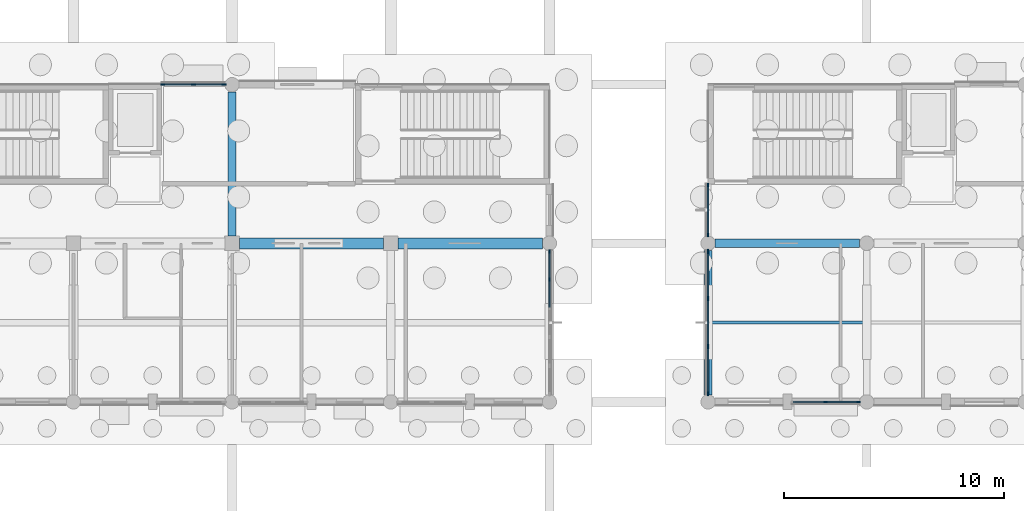
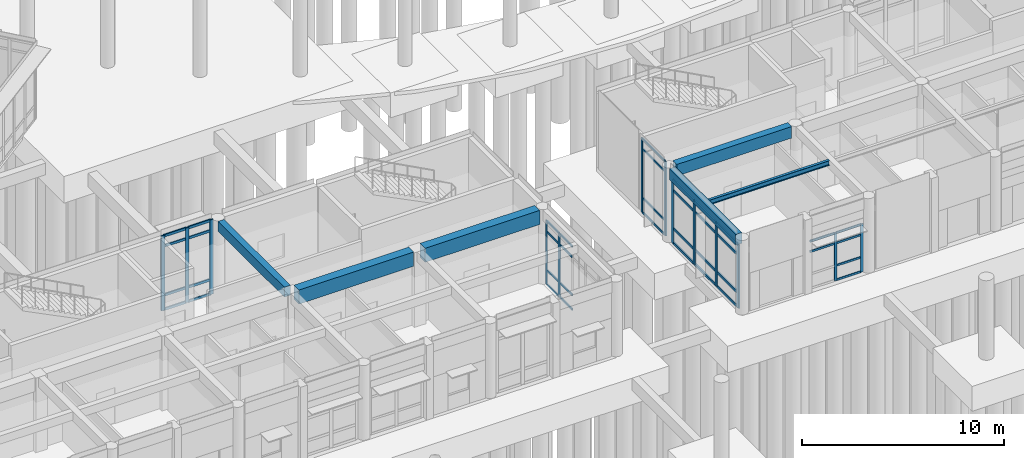
# One storey, part 20 of 103: 51 members, 6 beams, 5 elements without a shape of their own.
"""IFC4 building model written with IfcOpenShell, lengths in metres."""

from ifc_helpers import new_model, si_unit, direction, frame, origin, origin_2d, place, context, subcontext, project, spatial, rectangle, i_section, extrude, material, layer, layer_set, material_profile, profile_set, type_object, element, aggregate, save


model = new_model("IFC4")

# Units and contexts
model_context = context("Model", 3, precision=1e-05, world=origin(), true_north=direction((0.0, 1.0)))
body_context = subcontext(model_context, "Body", "Model", "MODEL_VIEW")
ifc_project = project(units=[si_unit("LENGTHUNIT", "METRE"), si_unit("AREAUNIT", "SQUARE_METRE"), si_unit("VOLUMEUNIT", "CUBIC_METRE"), si_unit("PLANEANGLEUNIT", "RADIAN"), si_unit("MASSUNIT", "GRAM", prefix="KILO")], contexts=[model_context])

# Site, building, storey
site_placement = place(None, origin())
site = spatial("IfcSite", under=ifc_project, at=site_placement, CompositionType="ELEMENT")
building_placement = place(site_placement, origin())
building = spatial("IfcBuilding", under=site, at=building_placement, Name="Namkhue Oval Health Centre", CompositionType="ELEMENT")
storey_placement = place(building_placement, origin())
storey = spatial("IfcBuildingStorey", under=building, at=storey_placement, Name="L00", CompositionType="ELEMENT", Elevation=0.0)

# Curtain wall, members
ifc_material_1 = material(Name="Anodised aluminium EN AW-6063 T6", Category="aluminium")
ifc_layer_1 = layer(ifc_material_1, 0.159912109375)
ifc_layer_set_1 = layer_set([ifc_layer_1], Name="Anodised aluminium EN AW-6063 T6")
curtain_wall_type_1 = type_object("IfcCurtainWallType", Name="UNITISED CURTAIN WALL M1200", PredefinedType="NOTDEFINED", material=ifc_layer_set_1)
curtain_wall_1_placement = place(storey_placement, origin())
curtain_wall_1 = element("IfcCurtainWall", 1, at=curtain_wall_1_placement, inside=storey, type_object=curtain_wall_type_1, Name="Volume V4 L00 Unitised Curtain Wall 139", PredefinedType="NOTDEFINED")
ifc_material_profile_1 = material_profile(ifc_material_1, rectangle(XDim=0.06494140625, YDim=0.159912109375, at=origin_2d()), Name="ALU 65x160")
ifc_profile_set_1 = profile_set([ifc_material_profile_1], Name="Anodised aluminium EN AW-6063 T6")
member_type_1 = type_object("IfcMemberType", Name="CURTAIN WALL MULLION 65X160", PredefinedType="MULLION", material=ifc_profile_set_1)
member_1_placement = place(storey_placement, frame((86.39990234375, 19.958984375, 0.0), z_axis=(0.0, 0.0, 1.0), x_axis=(-1.0, 0.0, 0.0)))
member_1 = element("IfcMember", 2, at=member_1_placement, type_object=member_type_1, Name="CW-01 mullion 5", PredefinedType="MULLION", context=body_context, shape_type="SweptSolid", body=[
    extrude(rectangle(XDim=0.06494140625, YDim=0.159912109375, at=origin_2d()), origin(), (0.0, 0.0, 1.0), 3.860107421875),
])
member_2_placement = place(storey_placement, frame((86.39990234375, 21.232421875, 0.0), z_axis=(0.0, 0.0, 1.0), x_axis=(-1.0, 0.0, 0.0)))
member_2 = element("IfcMember", 3, at=member_2_placement, type_object=member_type_1, Name="CW-01 mullion 6", PredefinedType="MULLION", context=body_context, shape_type="SweptSolid", body=[
    extrude(rectangle(XDim=0.06494140625, YDim=0.159912109375, at=origin_2d()), origin(), (0.0, 0.0, 1.0), 3.860107421875),
])

ifc_layer_2 = layer(ifc_material_1, 0.159912109375)
ifc_layer_set_2 = layer_set([ifc_layer_2], Name="Anodised aluminium EN AW-6063 T6")
curtain_wall_type_2 = type_object("IfcCurtainWallType", Name="UNITISED CURTAIN WALL M1500", PredefinedType="NOTDEFINED", material=ifc_layer_set_2)
curtain_wall_2_placement = place(storey_placement, origin())
curtain_wall_2 = element("IfcCurtainWall", 4, at=curtain_wall_2_placement, inside=storey, type_object=curtain_wall_type_2, Name="Volume V5 L00 Unitised Curtain Wall 177", PredefinedType="NOTDEFINED")
member_3_placement = place(storey_placement, frame((98.93798828125, 14.39990234375, 0.0), z_axis=(0.0, 0.0, 1.0), x_axis=(0.0, 1.0, 0.0)))
member_3 = element("IfcMember", 5, at=member_3_placement, type_object=member_type_1, Name="CW-03 mullion 2", PredefinedType="MULLION", context=body_context, shape_type="SweptSolid", body=[
    extrude(rectangle(XDim=0.06494140625, YDim=0.159912109375, at=origin_2d()), origin(), (0.0, 0.0, 1.0), 2.89990234375),
])
member_4_placement = place(storey_placement, frame((100.4326171875, 14.39990234375, 0.0), z_axis=(0.0, 0.0, 1.0), x_axis=(0.0, 1.0, 0.0)))
member_4 = element("IfcMember", 6, at=member_4_placement, type_object=member_type_1, Name="CW-03 mullion 3", PredefinedType="MULLION", context=body_context, shape_type="SweptSolid", body=[
    extrude(rectangle(XDim=0.06494140625, YDim=0.159912109375, at=origin_2d()), origin(), (0.0, 0.0, 1.0), 2.89990234375),
])

ifc_layer_3 = layer(ifc_material_1, 0.159912109375)
ifc_layer_set_3 = layer_set([ifc_layer_3], Name="Anodised aluminium EN AW-6063 T6")
curtain_wall_type_3 = type_object("IfcCurtainWallType", Name="UNITISED CURTAIN WALL M1800", PredefinedType="NOTDEFINED", material=ifc_layer_set_3)
curtain_wall_3_placement = place(storey_placement, origin())
curtain_wall_3 = element("IfcCurtainWall", 7, at=curtain_wall_3_placement, inside=storey, type_object=curtain_wall_type_3, Name="Volume V5 L00 Unitised Curtain Wall 185", PredefinedType="NOTDEFINED")
member_5_placement = place(storey_placement, frame((93.60009765625, 24.25048828125, 0.0), z_axis=(0.0, 0.0, 1.0), x_axis=(1.0, 0.0, 0.0)))
member_5 = element("IfcMember", 8, at=member_5_placement, type_object=member_type_1, Name="CW-05 mullion 1", PredefinedType="MULLION", context=body_context, shape_type="SweptSolid", body=[
    extrude(rectangle(XDim=0.06494140625, YDim=0.159912109375, at=origin_2d()), origin(), (0.0, 0.0, 1.0), 4.4951171875),
])
member_6_placement = place(storey_placement, frame((93.60009765625, 21.967529296875, 0.0), z_axis=(0.0, 0.0, 1.0), x_axis=(1.0, 0.0, 0.0)))
member_6 = element("IfcMember", 9, at=member_6_placement, type_object=member_type_1, Name="CW-05 mullion 2", PredefinedType="MULLION", context=body_context, shape_type="SweptSolid", body=[
    extrude(rectangle(XDim=0.06494140625, YDim=0.159912109375, at=origin_2d()), origin(), (0.0, 0.0, 1.0), 4.4951171875),
])

ifc_layer_4 = layer(ifc_material_1, 0.159912109375)
ifc_layer_set_4 = layer_set([ifc_layer_4], Name="Anodised aluminium EN AW-6063 T6")
curtain_wall_type_4 = type_object("IfcCurtainWallType", Name="UNITISED CURTAIN WALL M1350", PredefinedType="NOTDEFINED", material=ifc_layer_set_4)
curtain_wall_4_placement = place(storey_placement, origin())
curtain_wall_4 = element("IfcCurtainWall", 10, at=curtain_wall_4_placement, inside=storey, type_object=curtain_wall_type_4, Name="Volume V4 L00 Unitised Curtain Wall 140", PredefinedType="NOTDEFINED")
ifc_material_profile_2 = material_profile(ifc_material_1, rectangle(XDim=0.074951171875, YDim=0.199951171875, at=origin_2d()), Name="ALU 75x200")
ifc_profile_set_2 = profile_set([ifc_material_profile_2], Name="Anodised aluminium EN AW-6063 T6")
member_type_2 = type_object("IfcMemberType", Name="CURTAIN WALL MULLION 75X200", PredefinedType="MULLION", material=ifc_profile_set_2)
member_7_placement = place(storey_placement, frame((71.62744140625, 28.800048828125, 0.0), z_axis=(0.0, 0.0, 1.0), x_axis=(0.0, -1.0, 0.0)))
member_7 = element("IfcMember", 11, at=member_7_placement, type_object=member_type_2, Name="CW-02 mullion 1", PredefinedType="MULLION", context=body_context, shape_type="SweptSolid", body=[
    extrude(rectangle(XDim=0.074951171875, YDim=0.199951171875, at=origin_2d()), origin(), (0.0, 0.0, 1.0), 4.510009765625),
])
member_8_placement = place(storey_placement, frame((70.240966796875, 28.800048828125, 0.0), z_axis=(0.0, 0.0, 1.0), x_axis=(0.0, -1.0, 0.0)))
member_8 = element("IfcMember", 12, at=member_8_placement, type_object=member_type_2, Name="CW-02 mullion 2", PredefinedType="MULLION", context=body_context, shape_type="SweptSolid", body=[
    extrude(rectangle(XDim=0.074951171875, YDim=0.199951171875, at=origin_2d()), origin(), (0.0, 0.0, 1.0), 4.510009765625),
])
member_9_placement = place(storey_placement, frame((68.8544921875, 28.800048828125, 0.0), z_axis=(0.0, 0.0, 1.0), x_axis=(0.0, -1.0, 0.0)))
member_9 = element("IfcMember", 13, at=member_9_placement, type_object=member_type_2, Name="CW-02 mullion 3", PredefinedType="MULLION", context=body_context, shape_type="SweptSolid", body=[
    extrude(rectangle(XDim=0.074951171875, YDim=0.199951171875, at=origin_2d()), origin(), (0.0, 0.0, 1.0), 4.510009765625),
])

ifc_layer_5 = layer(ifc_material_1, 0.159912109375)
ifc_layer_set_5 = layer_set([ifc_layer_5], Name="Anodised aluminium EN AW-6063 T6")
curtain_wall_type_5 = type_object("IfcCurtainWallType", Name="UNITISED CURTAIN WALL M2000", PredefinedType="NOTDEFINED", material=ifc_layer_set_5)
curtain_wall_5_placement = place(storey_placement, origin())
curtain_wall_5 = element("IfcCurtainWall", 14, at=curtain_wall_5_placement, inside=storey, type_object=curtain_wall_type_5, Name="Volume V5 L00 Unitised Curtain Wall 186", PredefinedType="NOTDEFINED")
member_10_placement = place(storey_placement, frame((93.60009765625, 21.2275390625, 0.0), z_axis=(0.0, 0.0, 1.0), x_axis=(1.0, 0.0, 0.0)))
member_10 = element("IfcMember", 15, at=member_10_placement, type_object=member_type_2, Name="CW-06 mullion 1", PredefinedType="MULLION", context=body_context, shape_type="SweptSolid", body=[
    extrude(rectangle(XDim=0.074951171875, YDim=0.199951171875, at=origin_2d()), origin(), (0.0, 0.0, 1.0), 3.844970703125),
])
member_11_placement = place(storey_placement, frame((93.60009765625, 19.08837890625, 0.0), z_axis=(0.0, 0.0, 1.0), x_axis=(1.0, 0.0, 0.0)))
member_11 = element("IfcMember", 16, at=member_11_placement, type_object=member_type_2, Name="CW-06 mullion 2", PredefinedType="MULLION", context=body_context, shape_type="SweptSolid", body=[
    extrude(rectangle(XDim=0.074951171875, YDim=0.199951171875, at=origin_2d()), origin(), (0.0, 0.0, 1.0), 3.844970703125),
])
member_12_placement = place(storey_placement, frame((93.60009765625, 16.91162109375, 0.0), z_axis=(0.0, 0.0, 1.0), x_axis=(1.0, 0.0, 0.0)))
member_12 = element("IfcMember", 17, at=member_12_placement, type_object=member_type_2, Name="CW-06 mullion 3", PredefinedType="MULLION", context=body_context, shape_type="SweptSolid", body=[
    extrude(rectangle(XDim=0.074951171875, YDim=0.199951171875, at=origin_2d()), origin(), (0.0, 0.0, 1.0), 3.844970703125),
])
member_13_placement = place(storey_placement, frame((93.60009765625, 14.7724609375, 0.0), z_axis=(0.0, 0.0, 1.0), x_axis=(1.0, 0.0, 0.0)))
member_13 = element("IfcMember", 18, at=member_13_placement, type_object=member_type_2, Name="CW-06 mullion 4", PredefinedType="MULLION", context=body_context, shape_type="SweptSolid", body=[
    extrude(rectangle(XDim=0.074951171875, YDim=0.199951171875, at=origin_2d()), origin(), (0.0, 0.0, 1.0), 3.844970703125),
])

# Member
ifc_material_profile_3 = material_profile(ifc_material_1, rectangle(XDim=0.06494140625, YDim=0.1201171875, at=origin_2d()), Name="ALU 65x120")
ifc_profile_set_3 = profile_set([ifc_material_profile_3], Name="Anodised aluminium EN AW-6063 T6")
member_type_3 = type_object("IfcMemberType", Name="CURTAIN WALL TRANSOM 65X120", PredefinedType="USERDEFINED", material=ifc_profile_set_3)
member_14_placement = place(storey_placement, frame((86.39990234375, 18.685546875, 0.032470703125), z_axis=(0.0, 1.0, 0.0), x_axis=(-1.0, 0.0, 0.0)))
member_14 = element("IfcMember", 19, at=member_14_placement, type_object=member_type_3, Name="CW-01 transom 4.1", ObjectType="TRANSOM", PredefinedType="USERDEFINED", context=body_context, shape_type="SweptSolid", body=[
    extrude(rectangle(XDim=0.06494140625, YDim=0.1201171875, at=origin_2d()), origin(), (0.0, 0.0, 1.0), 1.240966796875),
])

member_15_placement = place(storey_placement, frame((86.39990234375, 18.685546875, 0.89990234375), z_axis=(0.0, 1.0, 0.0), x_axis=(-1.0, 0.0, 0.0)))
member_15 = element("IfcMember", 20, at=member_15_placement, type_object=member_type_3, Name="CW-01 transom 4.2", ObjectType="TRANSOM", PredefinedType="USERDEFINED", context=body_context, shape_type="SweptSolid", body=[
    extrude(rectangle(XDim=0.06494140625, YDim=0.1201171875, at=origin_2d()), origin(), (0.0, 0.0, 1.0), 1.240966796875),
])

member_16_placement = place(storey_placement, frame((86.39990234375, 18.685546875, 3.2099609375), z_axis=(0.0, 1.0, 0.0), x_axis=(-1.0, 0.0, 0.0)))
member_16 = element("IfcMember", 21, at=member_16_placement, type_object=member_type_3, Name="CW-01 transom 4.3", ObjectType="TRANSOM", PredefinedType="USERDEFINED", context=body_context, shape_type="SweptSolid", body=[
    extrude(rectangle(XDim=0.06494140625, YDim=0.1201171875, at=origin_2d()), origin(), (0.0, 0.0, 1.0), 1.240966796875),
])

member_17_placement = place(storey_placement, frame((86.39990234375, 18.685546875, 3.827392578125), z_axis=(0.0, 1.0, 0.0), x_axis=(-1.0, 0.0, 0.0)))
member_17 = element("IfcMember", 22, at=member_17_placement, type_object=member_type_3, Name="CW-01 transom 4.4", ObjectType="TRANSOM", PredefinedType="USERDEFINED", context=body_context, shape_type="SweptSolid", body=[
    extrude(rectangle(XDim=0.06494140625, YDim=0.1201171875, at=origin_2d()), origin(), (0.0, 0.0, 1.0), 1.240966796875),
])

member_18_placement = place(storey_placement, frame((86.39990234375, 19.991455078125, 0.032470703125), z_axis=(0.0, 1.0, 0.0), x_axis=(-1.0, 0.0, 0.0)))
member_18 = element("IfcMember", 23, at=member_18_placement, type_object=member_type_3, Name="CW-01 transom 5.1", ObjectType="TRANSOM", PredefinedType="USERDEFINED", context=body_context, shape_type="SweptSolid", body=[
    extrude(rectangle(XDim=0.06494140625, YDim=0.1201171875, at=origin_2d()), origin(), (0.0, 0.0, 1.0), 1.20849609375),
])

member_19_placement = place(storey_placement, frame((86.39990234375, 19.991455078125, 0.89990234375), z_axis=(0.0, 1.0, 0.0), x_axis=(-1.0, 0.0, 0.0)))
member_19 = element("IfcMember", 24, at=member_19_placement, type_object=member_type_3, Name="CW-01 transom 5.2", ObjectType="TRANSOM", PredefinedType="USERDEFINED", context=body_context, shape_type="SweptSolid", body=[
    extrude(rectangle(XDim=0.06494140625, YDim=0.1201171875, at=origin_2d()), origin(), (0.0, 0.0, 1.0), 1.20849609375),
])

member_20_placement = place(storey_placement, frame((86.39990234375, 19.991455078125, 3.2099609375), z_axis=(0.0, 1.0, 0.0), x_axis=(-1.0, 0.0, 0.0)))
member_20 = element("IfcMember", 25, at=member_20_placement, type_object=member_type_3, Name="CW-01 transom 5.3", ObjectType="TRANSOM", PredefinedType="USERDEFINED", context=body_context, shape_type="SweptSolid", body=[
    extrude(rectangle(XDim=0.06494140625, YDim=0.1201171875, at=origin_2d()), origin(), (0.0, 0.0, 1.0), 1.20849609375),
])

member_21_placement = place(storey_placement, frame((86.39990234375, 19.991455078125, 3.827392578125), z_axis=(0.0, 1.0, 0.0), x_axis=(-1.0, 0.0, 0.0)))
member_21 = element("IfcMember", 26, at=member_21_placement, type_object=member_type_3, Name="CW-01 transom 5.4", ObjectType="TRANSOM", PredefinedType="USERDEFINED", context=body_context, shape_type="SweptSolid", body=[
    extrude(rectangle(XDim=0.06494140625, YDim=0.1201171875, at=origin_2d()), origin(), (0.0, 0.0, 1.0), 1.20849609375),
])

aggregate(curtain_wall_1, [member_1, member_2, member_14, member_15, member_16, member_17, member_18, member_19, member_20, member_21])

member_22_placement = place(storey_placement, frame((97.47607421875, 14.39990234375, 2.25), z_axis=(1.0, 0.0, 0.0), x_axis=(0.0, 1.0, 0.0)))
member_22 = element("IfcMember", 27, at=member_22_placement, type_object=member_type_3, Name="CW-03 transom 1.3", ObjectType="TRANSOM", PredefinedType="USERDEFINED", context=body_context, shape_type="SweptSolid", body=[
    extrude(rectangle(XDim=0.06494140625, YDim=0.1201171875, at=origin_2d()), origin(), (0.0, 0.0, 1.0), 1.429443359375),
])

member_23_placement = place(storey_placement, frame((97.47607421875, 14.39990234375, 2.867431640625), z_axis=(1.0, 0.0, 0.0), x_axis=(0.0, 1.0, 0.0)))
member_23 = element("IfcMember", 28, at=member_23_placement, type_object=member_type_3, Name="CW-03 transom 1.4", ObjectType="TRANSOM", PredefinedType="USERDEFINED", context=body_context, shape_type="SweptSolid", body=[
    extrude(rectangle(XDim=0.06494140625, YDim=0.1201171875, at=origin_2d()), origin(), (0.0, 0.0, 1.0), 1.429443359375),
])

member_24_placement = place(storey_placement, frame((98.970458984375, 14.39990234375, 0.032470703125), z_axis=(1.0, 0.0, 0.0), x_axis=(0.0, 1.0, 0.0)))
member_24 = element("IfcMember", 29, at=member_24_placement, type_object=member_type_3, Name="CW-03 transom 2.1", ObjectType="TRANSOM", PredefinedType="USERDEFINED", context=body_context, shape_type="SweptSolid", body=[
    extrude(rectangle(XDim=0.06494140625, YDim=0.1201171875, at=origin_2d()), origin(), (0.0, 0.0, 1.0), 1.429443359375),
])

member_25_placement = place(storey_placement, frame((98.970458984375, 14.39990234375, 0.89990234375), z_axis=(1.0, 0.0, 0.0), x_axis=(0.0, 1.0, 0.0)))
member_25 = element("IfcMember", 30, at=member_25_placement, type_object=member_type_3, Name="CW-03 transom 2.2", ObjectType="TRANSOM", PredefinedType="USERDEFINED", context=body_context, shape_type="SweptSolid", body=[
    extrude(rectangle(XDim=0.06494140625, YDim=0.1201171875, at=origin_2d()), origin(), (0.0, 0.0, 1.0), 1.429443359375),
])

member_26_placement = place(storey_placement, frame((98.970458984375, 14.39990234375, 2.25), z_axis=(1.0, 0.0, 0.0), x_axis=(0.0, 1.0, 0.0)))
member_26 = element("IfcMember", 31, at=member_26_placement, type_object=member_type_3, Name="CW-03 transom 2.3", ObjectType="TRANSOM", PredefinedType="USERDEFINED", context=body_context, shape_type="SweptSolid", body=[
    extrude(rectangle(XDim=0.06494140625, YDim=0.1201171875, at=origin_2d()), origin(), (0.0, 0.0, 1.0), 1.429443359375),
])

member_27_placement = place(storey_placement, frame((98.970458984375, 14.39990234375, 2.867431640625), z_axis=(1.0, 0.0, 0.0), x_axis=(0.0, 1.0, 0.0)))
member_27 = element("IfcMember", 32, at=member_27_placement, type_object=member_type_3, Name="CW-03 transom 2.4", ObjectType="TRANSOM", PredefinedType="USERDEFINED", context=body_context, shape_type="SweptSolid", body=[
    extrude(rectangle(XDim=0.06494140625, YDim=0.1201171875, at=origin_2d()), origin(), (0.0, 0.0, 1.0), 1.429443359375),
])

aggregate(curtain_wall_2, [member_3, member_4, member_22, member_23, member_24, member_25, member_26, member_27])

member_28_placement = place(storey_placement, frame((93.60009765625, 24.218017578125, 0.032470703125), z_axis=(0.0, -1.0, 0.0), x_axis=(1.0, 0.0, 0.0)))
member_28 = element("IfcMember", 33, at=member_28_placement, type_object=member_type_3, Name="CW-05 transom 1.1", ObjectType="TRANSOM", PredefinedType="USERDEFINED", context=body_context, shape_type="SweptSolid", body=[
    extrude(rectangle(XDim=0.06494140625, YDim=0.1201171875, at=origin_2d()), origin(), (0.0, 0.0, 1.0), 2.218017578125),
])

member_29_placement = place(storey_placement, frame((93.60009765625, 24.218017578125, 0.89990234375), z_axis=(0.0, -1.0, 0.0), x_axis=(1.0, 0.0, 0.0)))
member_29 = element("IfcMember", 34, at=member_29_placement, type_object=member_type_3, Name="CW-05 transom 1.2", ObjectType="TRANSOM", PredefinedType="USERDEFINED", context=body_context, shape_type="SweptSolid", body=[
    extrude(rectangle(XDim=0.06494140625, YDim=0.1201171875, at=origin_2d()), origin(), (0.0, 0.0, 1.0), 2.218017578125),
])

member_30_placement = place(storey_placement, frame((93.60009765625, 24.218017578125, 3.844970703125), z_axis=(0.0, -1.0, 0.0), x_axis=(1.0, 0.0, 0.0)))
member_30 = element("IfcMember", 35, at=member_30_placement, type_object=member_type_3, Name="CW-05 transom 1.3", ObjectType="TRANSOM", PredefinedType="USERDEFINED", context=body_context, shape_type="SweptSolid", body=[
    extrude(rectangle(XDim=0.06494140625, YDim=0.1201171875, at=origin_2d()), origin(), (0.0, 0.0, 1.0), 2.218017578125),
])

member_31_placement = place(storey_placement, frame((93.60009765625, 24.218017578125, 4.46240234375), z_axis=(0.0, -1.0, 0.0), x_axis=(1.0, 0.0, 0.0)))
member_31 = element("IfcMember", 36, at=member_31_placement, type_object=member_type_3, Name="CW-05 transom 1.4", ObjectType="TRANSOM", PredefinedType="USERDEFINED", context=body_context, shape_type="SweptSolid", body=[
    extrude(rectangle(XDim=0.06494140625, YDim=0.1201171875, at=origin_2d()), origin(), (0.0, 0.0, 1.0), 2.218017578125),
])

aggregate(curtain_wall_3, [member_5, member_6, member_28, member_29, member_30, member_31])

ifc_material_profile_4 = material_profile(ifc_material_1, rectangle(XDim=0.074951171875, YDim=0.14990234375, at=origin_2d()), Name="ALU 75x150")
ifc_profile_set_4 = profile_set([ifc_material_profile_4], Name="Anodised aluminium EN AW-6063 T6")
member_type_4 = type_object("IfcMemberType", Name="CURTAIN WALL TRANSOM 75X150", PredefinedType="USERDEFINED", material=ifc_profile_set_4)
member_32_placement = place(storey_placement, frame((71.590087890625, 28.800048828125, 0.03759765625), z_axis=(-1.0, 0.0, 0.0), x_axis=(0.0, -1.0, 0.0)))
member_32 = element("IfcMember", 37, at=member_32_placement, type_object=member_type_4, Name="CW-02 transom 1.1", ObjectType="TRANSOM", PredefinedType="USERDEFINED", context=body_context, shape_type="SweptSolid", body=[
    extrude(rectangle(XDim=0.074951171875, YDim=0.14990234375, at=origin_2d()), origin(), (0.0, 0.0, 1.0), 1.3115234375),
])

member_33_placement = place(storey_placement, frame((71.590087890625, 28.800048828125, 0.89990234375), z_axis=(-1.0, 0.0, 0.0), x_axis=(0.0, -1.0, 0.0)))
member_33 = element("IfcMember", 38, at=member_33_placement, type_object=member_type_4, Name="CW-02 transom 1.2", ObjectType="TRANSOM", PredefinedType="USERDEFINED", context=body_context, shape_type="SweptSolid", body=[
    extrude(rectangle(XDim=0.074951171875, YDim=0.14990234375, at=origin_2d()), origin(), (0.0, 0.0, 1.0), 1.3115234375),
])

member_34_placement = place(storey_placement, frame((71.590087890625, 28.800048828125, 3.860107421875), z_axis=(-1.0, 0.0, 0.0), x_axis=(0.0, -1.0, 0.0)))
member_34 = element("IfcMember", 39, at=member_34_placement, type_object=member_type_4, Name="CW-02 transom 1.3", ObjectType="TRANSOM", PredefinedType="USERDEFINED", context=body_context, shape_type="SweptSolid", body=[
    extrude(rectangle(XDim=0.074951171875, YDim=0.14990234375, at=origin_2d()), origin(), (0.0, 0.0, 1.0), 1.3115234375),
])

member_35_placement = place(storey_placement, frame((71.590087890625, 28.800048828125, 4.472412109375), z_axis=(-1.0, 0.0, 0.0), x_axis=(0.0, -1.0, 0.0)))
member_35 = element("IfcMember", 40, at=member_35_placement, type_object=member_type_4, Name="CW-02 transom 1.4", ObjectType="TRANSOM", PredefinedType="USERDEFINED", context=body_context, shape_type="SweptSolid", body=[
    extrude(rectangle(XDim=0.074951171875, YDim=0.14990234375, at=origin_2d()), origin(), (0.0, 0.0, 1.0), 1.3115234375),
])

member_36_placement = place(storey_placement, frame((70.20361328125, 28.800048828125, 0.03759765625), z_axis=(-1.0, 0.0, 0.0), x_axis=(0.0, -1.0, 0.0)))
member_36 = element("IfcMember", 41, at=member_36_placement, type_object=member_type_4, Name="CW-02 transom 2.1", ObjectType="TRANSOM", PredefinedType="USERDEFINED", context=body_context, shape_type="SweptSolid", body=[
    extrude(rectangle(XDim=0.074951171875, YDim=0.14990234375, at=origin_2d()), origin(), (0.0, 0.0, 1.0), 1.3115234375),
])

member_37_placement = place(storey_placement, frame((70.20361328125, 28.800048828125, 0.89990234375), z_axis=(-1.0, 0.0, 0.0), x_axis=(0.0, -1.0, 0.0)))
member_37 = element("IfcMember", 42, at=member_37_placement, type_object=member_type_4, Name="CW-02 transom 2.2", ObjectType="TRANSOM", PredefinedType="USERDEFINED", context=body_context, shape_type="SweptSolid", body=[
    extrude(rectangle(XDim=0.074951171875, YDim=0.14990234375, at=origin_2d()), origin(), (0.0, 0.0, 1.0), 1.3115234375),
])

member_38_placement = place(storey_placement, frame((70.20361328125, 28.800048828125, 3.860107421875), z_axis=(-1.0, 0.0, 0.0), x_axis=(0.0, -1.0, 0.0)))
member_38 = element("IfcMember", 43, at=member_38_placement, type_object=member_type_4, Name="CW-02 transom 2.3", ObjectType="TRANSOM", PredefinedType="USERDEFINED", context=body_context, shape_type="SweptSolid", body=[
    extrude(rectangle(XDim=0.074951171875, YDim=0.14990234375, at=origin_2d()), origin(), (0.0, 0.0, 1.0), 1.3115234375),
])

member_39_placement = place(storey_placement, frame((70.20361328125, 28.800048828125, 4.472412109375), z_axis=(-1.0, 0.0, 0.0), x_axis=(0.0, -1.0, 0.0)))
member_39 = element("IfcMember", 44, at=member_39_placement, type_object=member_type_4, Name="CW-02 transom 2.4", ObjectType="TRANSOM", PredefinedType="USERDEFINED", context=body_context, shape_type="SweptSolid", body=[
    extrude(rectangle(XDim=0.074951171875, YDim=0.14990234375, at=origin_2d()), origin(), (0.0, 0.0, 1.0), 1.3115234375),
])

aggregate(curtain_wall_4, [member_7, member_8, member_9, member_32, member_33, member_34, member_35, member_36, member_37, member_38, member_39])

member_40_placement = place(storey_placement, frame((93.60009765625, 21.18994140625, 0.03759765625), z_axis=(0.0, -1.0, 0.0), x_axis=(1.0, 0.0, 0.0)))
member_40 = element("IfcMember", 45, at=member_40_placement, type_object=member_type_4, Name="CW-06 transom 1.1", ObjectType="TRANSOM", PredefinedType="USERDEFINED", context=body_context, shape_type="SweptSolid", body=[
    extrude(rectangle(XDim=0.074951171875, YDim=0.14990234375, at=origin_2d()), origin(), (0.0, 0.0, 1.0), 2.064208984375),
])

member_41_placement = place(storey_placement, frame((93.60009765625, 21.18994140625, 0.89990234375), z_axis=(0.0, -1.0, 0.0), x_axis=(1.0, 0.0, 0.0)))
member_41 = element("IfcMember", 46, at=member_41_placement, type_object=member_type_4, Name="CW-06 transom 1.2", ObjectType="TRANSOM", PredefinedType="USERDEFINED", context=body_context, shape_type="SweptSolid", body=[
    extrude(rectangle(XDim=0.074951171875, YDim=0.14990234375, at=origin_2d()), origin(), (0.0, 0.0, 1.0), 2.064208984375),
])

member_42_placement = place(storey_placement, frame((93.60009765625, 21.18994140625, 3.195068359375), z_axis=(0.0, -1.0, 0.0), x_axis=(1.0, 0.0, 0.0)))
member_42 = element("IfcMember", 47, at=member_42_placement, type_object=member_type_4, Name="CW-06 transom 1.3", ObjectType="TRANSOM", PredefinedType="USERDEFINED", context=body_context, shape_type="SweptSolid", body=[
    extrude(rectangle(XDim=0.074951171875, YDim=0.14990234375, at=origin_2d()), origin(), (0.0, 0.0, 1.0), 2.064208984375),
])

member_43_placement = place(storey_placement, frame((93.60009765625, 21.18994140625, 3.8076171875), z_axis=(0.0, -1.0, 0.0), x_axis=(1.0, 0.0, 0.0)))
member_43 = element("IfcMember", 48, at=member_43_placement, type_object=member_type_4, Name="CW-06 transom 1.4", ObjectType="TRANSOM", PredefinedType="USERDEFINED", context=body_context, shape_type="SweptSolid", body=[
    extrude(rectangle(XDim=0.074951171875, YDim=0.14990234375, at=origin_2d()), origin(), (0.0, 0.0, 1.0), 2.064208984375),
])

member_44_placement = place(storey_placement, frame((93.60009765625, 19.05078125, 0.03759765625), z_axis=(0.0, -1.0, 0.0), x_axis=(1.0, 0.0, 0.0)))
member_44 = element("IfcMember", 49, at=member_44_placement, type_object=member_type_4, Name="CW-06 transom 2.1", ObjectType="TRANSOM", PredefinedType="USERDEFINED", context=body_context, shape_type="SweptSolid", body=[
    extrude(rectangle(XDim=0.074951171875, YDim=0.14990234375, at=origin_2d()), origin(), (0.0, 0.0, 1.0), 2.1015625),
])

member_45_placement = place(storey_placement, frame((93.60009765625, 19.05078125, 0.89990234375), z_axis=(0.0, -1.0, 0.0), x_axis=(1.0, 0.0, 0.0)))
member_45 = element("IfcMember", 50, at=member_45_placement, type_object=member_type_4, Name="CW-06 transom 2.2", ObjectType="TRANSOM", PredefinedType="USERDEFINED", context=body_context, shape_type="SweptSolid", body=[
    extrude(rectangle(XDim=0.074951171875, YDim=0.14990234375, at=origin_2d()), origin(), (0.0, 0.0, 1.0), 2.1015625),
])

member_46_placement = place(storey_placement, frame((93.60009765625, 19.05078125, 3.195068359375), z_axis=(0.0, -1.0, 0.0), x_axis=(1.0, 0.0, 0.0)))
member_46 = element("IfcMember", 51, at=member_46_placement, type_object=member_type_4, Name="CW-06 transom 2.3", ObjectType="TRANSOM", PredefinedType="USERDEFINED", context=body_context, shape_type="SweptSolid", body=[
    extrude(rectangle(XDim=0.074951171875, YDim=0.14990234375, at=origin_2d()), origin(), (0.0, 0.0, 1.0), 2.1015625),
])

member_47_placement = place(storey_placement, frame((93.60009765625, 19.05078125, 3.8076171875), z_axis=(0.0, -1.0, 0.0), x_axis=(1.0, 0.0, 0.0)))
member_47 = element("IfcMember", 52, at=member_47_placement, type_object=member_type_4, Name="CW-06 transom 2.4", ObjectType="TRANSOM", PredefinedType="USERDEFINED", context=body_context, shape_type="SweptSolid", body=[
    extrude(rectangle(XDim=0.074951171875, YDim=0.14990234375, at=origin_2d()), origin(), (0.0, 0.0, 1.0), 2.1015625),
])

member_48_placement = place(storey_placement, frame((93.60009765625, 16.874267578125, 0.03759765625), z_axis=(0.0, -1.0, 0.0), x_axis=(1.0, 0.0, 0.0)))
member_48 = element("IfcMember", 53, at=member_48_placement, type_object=member_type_4, Name="CW-06 transom 3.1", ObjectType="TRANSOM", PredefinedType="USERDEFINED", context=body_context, shape_type="SweptSolid", body=[
    extrude(rectangle(XDim=0.074951171875, YDim=0.14990234375, at=origin_2d()), origin(), (0.0, 0.0, 1.0), 2.064208984375),
])

member_49_placement = place(storey_placement, frame((93.60009765625, 16.874267578125, 0.89990234375), z_axis=(0.0, -1.0, 0.0), x_axis=(1.0, 0.0, 0.0)))
member_49 = element("IfcMember", 54, at=member_49_placement, type_object=member_type_4, Name="CW-06 transom 3.2", ObjectType="TRANSOM", PredefinedType="USERDEFINED", context=body_context, shape_type="SweptSolid", body=[
    extrude(rectangle(XDim=0.074951171875, YDim=0.14990234375, at=origin_2d()), origin(), (0.0, 0.0, 1.0), 2.064208984375),
])

member_50_placement = place(storey_placement, frame((93.60009765625, 16.874267578125, 3.195068359375), z_axis=(0.0, -1.0, 0.0), x_axis=(1.0, 0.0, 0.0)))
member_50 = element("IfcMember", 55, at=member_50_placement, type_object=member_type_4, Name="CW-06 transom 3.3", ObjectType="TRANSOM", PredefinedType="USERDEFINED", context=body_context, shape_type="SweptSolid", body=[
    extrude(rectangle(XDim=0.074951171875, YDim=0.14990234375, at=origin_2d()), origin(), (0.0, 0.0, 1.0), 2.064208984375),
])

member_51_placement = place(storey_placement, frame((93.60009765625, 16.874267578125, 3.8076171875), z_axis=(0.0, -1.0, 0.0), x_axis=(1.0, 0.0, 0.0)))
member_51 = element("IfcMember", 56, at=member_51_placement, type_object=member_type_4, Name="CW-06 transom 3.4", ObjectType="TRANSOM", PredefinedType="USERDEFINED", context=body_context, shape_type="SweptSolid", body=[
    extrude(rectangle(XDim=0.074951171875, YDim=0.14990234375, at=origin_2d()), origin(), (0.0, 0.0, 1.0), 2.064208984375),
])

aggregate(curtain_wall_5, [member_10, member_11, member_12, member_13, member_40, member_41, member_42, member_43, member_44, member_45, member_46, member_47, member_48, member_49, member_50, member_51])

# Beams
ifc_material_2 = material(Name="Reinforced concrete C30/37 (TCVN B35)", Category="concrete")
ifc_material_profile_5 = material_profile(ifc_material_2, rectangle(XDim=0.35009765625, YDim=0.60009765625, at=origin_2d()), Name="RC 350x600")
ifc_profile_set_5 = profile_set([ifc_material_profile_5], Name="Reinforced concrete C30/37 (TCVN B35)")
beam_type_1 = type_object("IfcBeamType", Name="FLOOR BEAM RC 350X600", PredefinedType="BEAM", material=ifc_profile_set_5)
beam_1_placement = place(storey_placement, frame((72.0, 21.925048828125, 4.2099609375), z_axis=(0.0, 1.0, 0.0), x_axis=(-1.0, 0.0, 0.0)))
element("IfcBeam", 57, at=beam_1_placement, inside=storey, type_object=beam_type_1, Name="Volume V4 L01 Beam 11/D-E", PredefinedType="BEAM", context=body_context, shape_type="SweptSolid", body=[
    extrude(rectangle(XDim=0.35009765625, YDim=0.60009765625, at=origin_2d()), origin(), (0.0, 0.0, 1.0), 6.550048828125),
])
ifc_material_3 = material(Name="Reinforced concrete C35/45 (TCVN B40)", Category="concrete")
ifc_material_profile_6 = material_profile(ifc_material_3, rectangle(XDim=0.35009765625, YDim=0.64990234375, at=origin_2d()), Name="RC 350x650")
ifc_profile_set_6 = profile_set([ifc_material_profile_6], Name="Reinforced concrete C35/45 (TCVN B40)")
beam_type_2 = type_object("IfcBeamType", Name="PERIMETER SPANDREL BEAM 350X650", PredefinedType="SPANDREL", material=ifc_profile_set_6)
beam_2_placement = place(storey_placement, frame((93.60009765625, 14.72509765625, 4.169921875), z_axis=(0.0, 1.0, 0.0), x_axis=(-1.0, 0.0, 0.0)))
element("IfcBeam", 58, at=beam_2_placement, inside=storey, type_object=beam_type_2, Name="Volume V5 L01 Beam 14/C-D", PredefinedType="SPANDREL", context=body_context, shape_type="SweptSolid", body=[
    extrude(rectangle(XDim=0.35009765625, YDim=0.64990234375, at=origin_2d()), origin(), (0.0, 0.0, 1.0), 6.5498046875),
])
ifc_material_profile_7 = material_profile(ifc_material_3, rectangle(XDim=0.39990234375, YDim=0.699951171875, at=origin_2d()), Name="RC 400x700")
ifc_profile_set_7 = profile_set([ifc_material_profile_7], Name="Reinforced concrete C35/45 (TCVN B40)")
beam_type_3 = type_object("IfcBeamType", Name="PRIMARY GIRDER RC 400X700", PredefinedType="USERDEFINED", material=ifc_profile_set_7)
beam_3_placement = place(storey_placement, frame((93.925048828125, 21.60009765625, 4.14501953125), z_axis=(1.0, 0.0, 0.0), x_axis=(0.0, 1.0, 0.0)))
element("IfcBeam", 59, at=beam_3_placement, inside=storey, type_object=beam_type_3, Name="Volume V5 L01 Girder D/14-15", ObjectType="GIRDER", PredefinedType="USERDEFINED", context=body_context, shape_type="SweptSolid", body=[
    extrude(rectangle(XDim=0.39990234375, YDim=0.699951171875, at=origin_2d()), origin(), (0.0, 0.0, 1.0), 6.550048828125),
])
ifc_material_profile_8 = material_profile(ifc_material_3, rectangle(XDim=0.5, YDim=0.85009765625, at=origin_2d()), Name="RC 500x850")
ifc_profile_set_8 = profile_set([ifc_material_profile_8], Name="Reinforced concrete C35/45 (TCVN B40)")
beam_type_4 = type_object("IfcBeamType", Name="PRIMARY GIRDER RC 500X850", PredefinedType="USERDEFINED", material=ifc_profile_set_8)
for number, where, z_axis, x_axis, name in (
    (60, (72.324951171875, 21.60009765625, 4.0849609375), (1.0, 0.0, 0.0), (0.0, 1.0, 0.0), "Volume V4 L01 Girder D/11-12"),
    (61, (79.52490234375, 21.60009765625, 4.0849609375), (1.0, 0.0, 0.0), (0.0, 1.0, 0.0), "Volume V4 L01 Girder D/12-13"),
):
    element("IfcBeam", number, at=place(storey_placement, frame(where, z_axis=z_axis, x_axis=x_axis)), inside=storey, type_object=beam_type_4, Name=name, ObjectType="GIRDER", PredefinedType="USERDEFINED", context=body_context, shape_type="SweptSolid", body=[
        extrude(rectangle(XDim=0.5, YDim=0.85009765625, at=origin_2d()), origin(), (0.0, 0.0, 1.0), 6.550048828125),
    ])
ifc_material_4 = material(Name="Structural steel EN 10025-2 S355JR (TCVN 5575:2024)", Category="steel")
ifc_material_profile_9 = material_profile(ifc_material_4, i_section(OverallWidth=0.14990234375, OverallDepth=0.300048828125, WebThickness=0.007080078125, FlangeThickness=0.0107421875, FilletRadius=0.014892578125, at=origin_2d()), Name="IPE 300")
ifc_profile_set_9 = profile_set([ifc_material_profile_9], Name="Structural steel EN 10025-2 S355JR (TCVN 5575:2024)")
beam_type_5 = type_object("IfcBeamType", Name="SECONDARY JOIST STEEL IPE 300", PredefinedType="JOIST", material=ifc_profile_set_9)
beam_4_placement = place(storey_placement, frame((93.77490234375, 18.0, 4.344970703125), z_axis=(1.0, 0.0, 0.0), x_axis=(0.0, 1.0, 0.0)))
element("IfcBeam", 62, at=beam_4_placement, inside=storey, type_object=beam_type_5, Name="Volume V5 L01 Secondary Joist 14-15", PredefinedType="JOIST", context=body_context, shape_type="SweptSolid", body=[
    extrude(i_section(OverallWidth=0.14990234375, OverallDepth=0.300048828125, WebThickness=0.007080078125, FlangeThickness=0.0107421875, FilletRadius=0.014892578125, at=origin_2d()), origin(), (0.0, 0.0, 1.0), 6.875),
])

save(model, "model.ifc")
